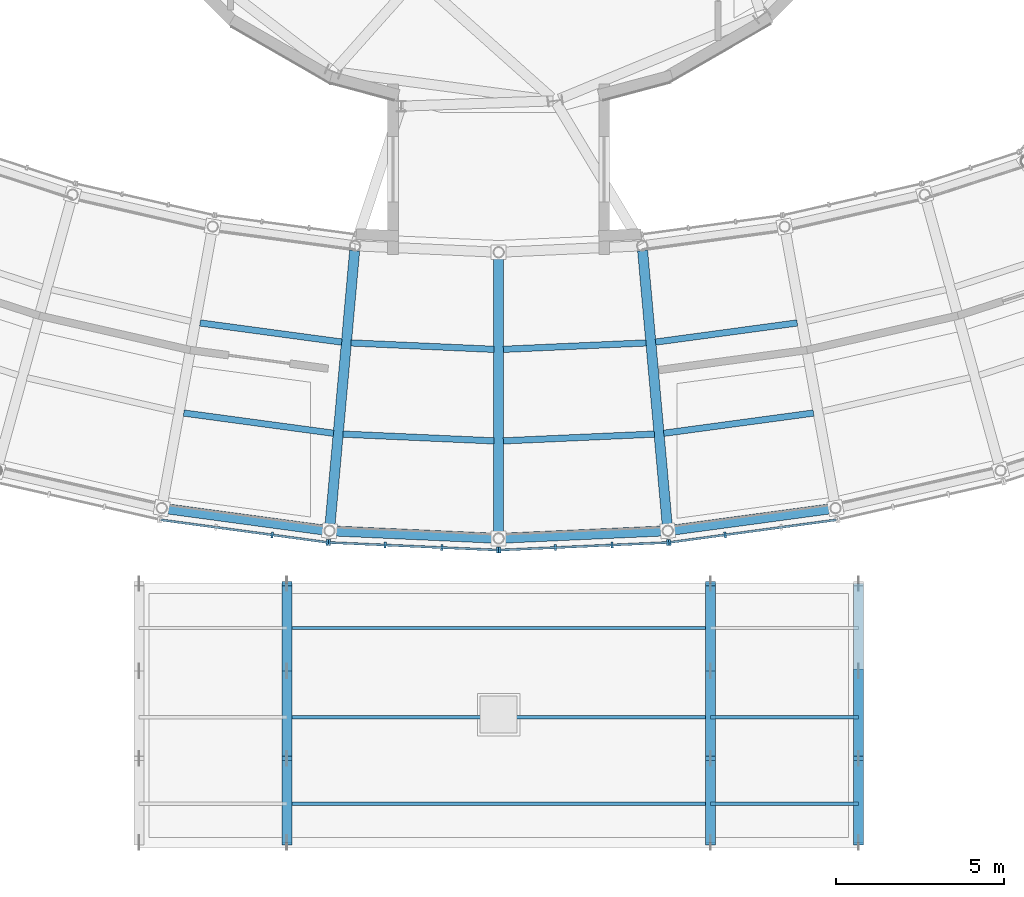
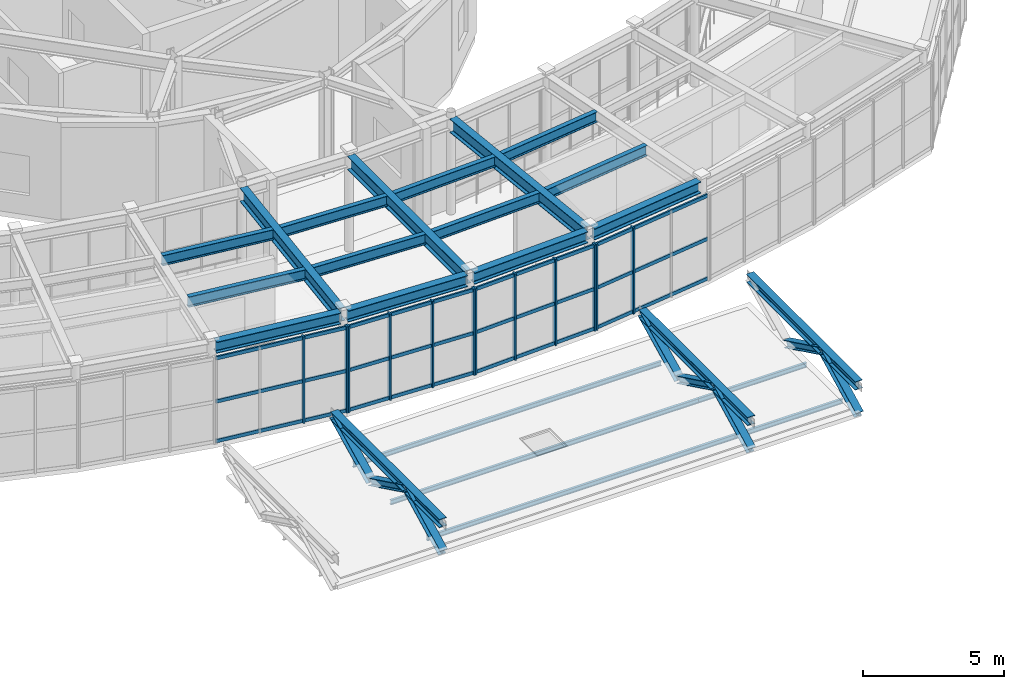
# One storey, part 26 of 103: 40 members, 15 beams, 4 elements without a shape of their own.
"""IFC4 building model written with IfcOpenShell, lengths in metres."""

from ifc_helpers import new_model, si_unit, direction, frame, origin, origin_2d, place, context, subcontext, project, spatial, rectangle, i_section, extrude, material, material_profile, profile_set, type_object, element, aggregate, save


model = new_model("IFC4")

# Units and contexts
model_context = context("Model", 3, precision=1e-05, world=origin(), true_north=direction((0.0, 1.0)))
body_context = subcontext(model_context, "Body", "Model", "MODEL_VIEW")
ifc_project = project(units=[si_unit("LENGTHUNIT", "METRE"), si_unit("AREAUNIT", "SQUARE_METRE"), si_unit("VOLUMEUNIT", "CUBIC_METRE"), si_unit("PLANEANGLEUNIT", "RADIAN"), si_unit("MASSUNIT", "GRAM", prefix="KILO")], contexts=[model_context])

# Site, building, storey
site_placement = place(None, origin())
site = spatial("IfcSite", under=ifc_project, at=site_placement, CompositionType="ELEMENT")
building_placement = place(site_placement, origin())
building = spatial("IfcBuilding", under=site, at=building_placement, Name="Varnklinge Art Gallery", CompositionType="ELEMENT")
storey_placement = place(building_placement, frame((0.0, 0.0, 5.10009765625)))
storey = spatial("IfcBuildingStorey", under=building, at=storey_placement, Name="L01", CompositionType="ELEMENT", Elevation=5.10009765625)

# Beams
ifc_material_1 = material(Name="Steel S355", Category="steel")
ifc_material_profile_1 = material_profile(ifc_material_1, i_section(OverallWidth=0.300048828125, OverallDepth=0.590087890625, WebThickness=0.012939453125, FlangeThickness=0.02490234375, FilletRadius=0.027099609375, at=origin_2d()), Name="HEA 600")
ifc_profile_set_1 = profile_set([ifc_material_profile_1], Name="Steel S355")
beam_type_1 = type_object("IfcBeamType", Name="BM-06", PredefinedType="BEAM", material=ifc_profile_set_1)
beam_1_placement = place(storey_placement, frame((70.482177734375, 13.110107421875, 3.885009765625), z_axis=(0.089446998225, 0.995991583553, 0.0), x_axis=(-0.995991583553, 0.089446998225, 0.0)))
element("IfcBeam", 1, at=beam_1_placement, inside=storey, type_object=beam_type_1, Name="L01 BM-06 BM-V2-L02-R36", PredefinedType="BEAM", context=body_context, shape_type="SweptSolid", body=[
    extrude(i_section(OverallWidth=0.300048828125, OverallDepth=0.590087890625, WebThickness=0.012939453125, FlangeThickness=0.02490234375, FilletRadius=0.027099609375, at=origin_2d()), origin(), (0.0, 0.0, 1.0), 8.229248046875),
])
beam_2_placement = place(storey_placement, frame((75.5, 12.885498046875, 3.885009765625), z_axis=(0.0, 1.0, 0.0), x_axis=(-1.0, 0.0, 0.0)))
element("IfcBeam", 2, at=beam_2_placement, inside=storey, type_object=beam_type_1, Name="L01 BM-06 BM-V2-L02-R37", PredefinedType="BEAM", context=body_context, shape_type="SweptSolid", body=[
    extrude(i_section(OverallWidth=0.300048828125, OverallDepth=0.590087890625, WebThickness=0.012939453125, FlangeThickness=0.02490234375, FilletRadius=0.027099609375, at=origin_2d()), origin(), (0.0, 0.0, 1.0), 8.22900390625),
])
beam_3_placement = place(storey_placement, frame((80.517822265625, 13.110107421875, 3.885009765625), z_axis=(-0.089446998225, 0.995991583553, 0.0), x_axis=(-0.995991583553, -0.089446998225, 0.0)))
element("IfcBeam", 3, at=beam_3_placement, inside=storey, type_object=beam_type_1, Name="L01 BM-06 BM-V2-L02-R38", PredefinedType="BEAM", context=body_context, shape_type="SweptSolid", body=[
    extrude(i_section(OverallWidth=0.300048828125, OverallDepth=0.590087890625, WebThickness=0.012939453125, FlangeThickness=0.02490234375, FilletRadius=0.027099609375, at=origin_2d()), origin(), (0.0, 0.0, 1.0), 8.229248046875),
])

# Members
ifc_material_2 = material(Name="Steel S355", Category="steel")
ifc_material_profile_2 = material_profile(ifc_material_2, i_section(OverallWidth=0.300048828125, OverallDepth=0.360107421875, WebThickness=0.012451171875, FlangeThickness=0.0224609375, FilletRadius=0.027099609375, at=origin_2d()), Name="HEB 360")
ifc_profile_set_2 = profile_set([ifc_material_profile_2], Name="Steel S355")
member_type_1 = type_object("IfcMemberType", Name="CHD-01", PredefinedType="CHORD", material=ifc_profile_set_2)
for number, where, z_axis, x_axis, name in (
    (4, (69.199951171875, 11.39990234375, 1.0498046875), (0.0, -1.0, 0.0), (1.0, 0.0, 0.0), "Entrance Canopy Truss Top Chord 2"),
    (5, (81.800048828125, 11.39990234375, 1.0498046875), (0.0, -1.0, 0.0), (1.0, 0.0, 0.0), "Entrance Canopy Truss Top Chord 3"),
    (6, (86.199951171875, 11.39990234375, 1.0498046875), (0.0, -1.0, 0.0), (1.0, 0.0, 0.0), "Entrance Canopy Truss Top Chord 4"),
):
    element("IfcMember", number, at=place(storey_placement, frame(where, z_axis=z_axis, x_axis=x_axis)), inside=storey, type_object=member_type_1, Name=name, PredefinedType="CHORD", context=body_context, shape_type="SweptSolid", body=[
        extrude(i_section(OverallWidth=0.300048828125, OverallDepth=0.360107421875, WebThickness=0.012451171875, FlangeThickness=0.0224609375, FilletRadius=0.027099609375, at=origin_2d()), origin(), (0.0, 0.0, 1.0), 7.699951171875),
    ])
ifc_material_3 = material(Name="Steel S355", Category="steel")
ifc_material_profile_3 = material_profile(ifc_material_3, i_section(OverallWidth=0.300048828125, OverallDepth=0.300048828125, WebThickness=0.010986328125, FlangeThickness=0.01904296875, FilletRadius=0.027099609375, at=origin_2d()), Name="HEB 300")
ifc_profile_set_3 = profile_set([ifc_material_profile_3], Name="Steel S355")
member_type_2 = type_object("IfcMemberType", Name="CHD-02", PredefinedType="CHORD", material=ifc_profile_set_3)
member_1_placement = place(storey_placement, frame((69.199951171875, 11.39990234375, 1.0498046875), z_axis=(0.0, -0.898523407321, -0.438925604741), x_axis=(1.0, 0.0, 0.0)))
element("IfcMember", 7, at=member_1_placement, inside=storey, type_object=member_type_2, Name="Entrance Canopy Truss Diagonal 2.1", PredefinedType="CHORD", context=body_context, shape_type="SweptSolid", body=[
    extrude(i_section(OverallWidth=0.300048828125, OverallDepth=0.300048828125, WebThickness=0.010986328125, FlangeThickness=0.01904296875, FilletRadius=0.027099609375, at=origin_2d()), origin(), (0.0, 0.0, 1.0), 2.8935546875),
])
member_2_placement = place(storey_placement, frame((69.199951171875, 8.800048828125, -0.22021484375), z_axis=(0.0, -0.89853966105, 0.438892330214), x_axis=(1.0, 0.0, 0.0)))
element("IfcMember", 8, at=member_2_placement, inside=storey, type_object=member_type_2, Name="Entrance Canopy Truss Diagonal 2.2", PredefinedType="CHORD", context=body_context, shape_type="SweptSolid", body=[
    extrude(i_section(OverallWidth=0.300048828125, OverallDepth=0.300048828125, WebThickness=0.010986328125, FlangeThickness=0.01904296875, FilletRadius=0.027099609375, at=origin_2d()), origin(), (0.0, 0.0, 1.0), 2.893798828125),
])
member_3_placement = place(storey_placement, frame((69.199951171875, 6.199951171875, 1.0498046875), z_axis=(0.0, -0.891553198571, -0.452915990133), x_axis=(1.0, 0.0, 0.0)))
element("IfcMember", 9, at=member_3_placement, inside=storey, type_object=member_type_2, Name="Entrance Canopy Truss Diagonal 2.3", PredefinedType="CHORD", context=body_context, shape_type="SweptSolid", body=[
    extrude(i_section(OverallWidth=0.300048828125, OverallDepth=0.300048828125, WebThickness=0.010986328125, FlangeThickness=0.01904296875, FilletRadius=0.027099609375, at=origin_2d()), origin(), (0.0, 0.0, 1.0), 2.80419921875),
])
member_4_placement = place(storey_placement, frame((81.800048828125, 11.39990234375, 1.0498046875), z_axis=(0.0, -0.898523407321, -0.438925604741), x_axis=(1.0, 0.0, 0.0)))
element("IfcMember", 10, at=member_4_placement, inside=storey, type_object=member_type_2, Name="Entrance Canopy Truss Diagonal 3.1", PredefinedType="CHORD", context=body_context, shape_type="SweptSolid", body=[
    extrude(i_section(OverallWidth=0.300048828125, OverallDepth=0.300048828125, WebThickness=0.010986328125, FlangeThickness=0.01904296875, FilletRadius=0.027099609375, at=origin_2d()), origin(), (0.0, 0.0, 1.0), 2.8935546875),
])
member_5_placement = place(storey_placement, frame((81.800048828125, 8.800048828125, -0.22021484375), z_axis=(0.0, -0.89853966105, 0.438892330214), x_axis=(1.0, 0.0, 0.0)))
element("IfcMember", 11, at=member_5_placement, inside=storey, type_object=member_type_2, Name="Entrance Canopy Truss Diagonal 3.2", PredefinedType="CHORD", context=body_context, shape_type="SweptSolid", body=[
    extrude(i_section(OverallWidth=0.300048828125, OverallDepth=0.300048828125, WebThickness=0.010986328125, FlangeThickness=0.01904296875, FilletRadius=0.027099609375, at=origin_2d()), origin(), (0.0, 0.0, 1.0), 2.893798828125),
])
member_6_placement = place(storey_placement, frame((81.800048828125, 6.199951171875, 1.0498046875), z_axis=(0.0, -0.891553198571, -0.452915990133), x_axis=(1.0, 0.0, 0.0)))
element("IfcMember", 12, at=member_6_placement, inside=storey, type_object=member_type_2, Name="Entrance Canopy Truss Diagonal 3.3", PredefinedType="CHORD", context=body_context, shape_type="SweptSolid", body=[
    extrude(i_section(OverallWidth=0.300048828125, OverallDepth=0.300048828125, WebThickness=0.010986328125, FlangeThickness=0.01904296875, FilletRadius=0.027099609375, at=origin_2d()), origin(), (0.0, 0.0, 1.0), 2.80419921875),
])
member_7_placement = place(storey_placement, frame((86.199951171875, 8.800048828125, -0.22021484375), z_axis=(0.0, -0.89853966105, 0.438892330214), x_axis=(1.0, 0.0, 0.0)))
element("IfcMember", 13, at=member_7_placement, inside=storey, type_object=member_type_2, Name="Entrance Canopy Truss Diagonal 4.2", PredefinedType="CHORD", context=body_context, shape_type="SweptSolid", body=[
    extrude(i_section(OverallWidth=0.300048828125, OverallDepth=0.300048828125, WebThickness=0.010986328125, FlangeThickness=0.01904296875, FilletRadius=0.027099609375, at=origin_2d()), origin(), (0.0, 0.0, 1.0), 2.893798828125),
])
member_8_placement = place(storey_placement, frame((86.199951171875, 6.199951171875, 1.0498046875), z_axis=(0.0, -0.891553198571, -0.452915990133), x_axis=(1.0, 0.0, 0.0)))
element("IfcMember", 14, at=member_8_placement, inside=storey, type_object=member_type_2, Name="Entrance Canopy Truss Diagonal 4.3", PredefinedType="CHORD", context=body_context, shape_type="SweptSolid", body=[
    extrude(i_section(OverallWidth=0.300048828125, OverallDepth=0.300048828125, WebThickness=0.010986328125, FlangeThickness=0.01904296875, FilletRadius=0.027099609375, at=origin_2d()), origin(), (0.0, 0.0, 1.0), 2.80419921875),
])

# Beams
ifc_material_4 = material(Name="Steel S355", Category="steel")
ifc_material_profile_4 = material_profile(ifc_material_4, i_section(OverallWidth=0.18994140625, OverallDepth=0.449951171875, WebThickness=0.009521484375, FlangeThickness=0.0146484375, FilletRadius=0.02099609375, at=origin_2d()), Name="IPE 450")
ifc_profile_set_4 = profile_set([ifc_material_profile_4], Name="Steel S355")
beam_type_2 = type_object("IfcBeamType", Name="JST-04", PredefinedType="JOIST", material=ifc_profile_set_4)
beam_4_placement = place(storey_placement, frame((66.1337890625, 16.47314453125, 3.954833984375), z_axis=(0.990994962068, -0.1338991604, 0.0), x_axis=(0.1338991604, 0.990994962068, 0.0)))
element("IfcBeam", 15, at=beam_4_placement, inside=storey, type_object=beam_type_2, Name="L01 JST-04 JST-V2-L02-35-1", PredefinedType="JOIST", context=body_context, shape_type="SweptSolid", body=[
    extrude(i_section(OverallWidth=0.18994140625, OverallDepth=0.449951171875, WebThickness=0.009521484375, FlangeThickness=0.0146484375, FilletRadius=0.02099609375, at=origin_2d()), origin(), (0.0, 0.0, 1.0), 4.496337890625),
])
beam_5_placement = place(storey_placement, frame((66.618896484375, 19.152587890625, 3.954833984375), z_axis=(0.990990165217, -0.133934657366, 0.0), x_axis=(0.133934657366, 0.990990165217, 0.0)))
element("IfcBeam", 16, at=beam_5_placement, inside=storey, type_object=beam_type_2, Name="L01 JST-04 JST-V2-L02-35-2", PredefinedType="JOIST", context=body_context, shape_type="SweptSolid", body=[
    extrude(i_section(OverallWidth=0.18994140625, OverallDepth=0.449951171875, WebThickness=0.009521484375, FlangeThickness=0.0146484375, FilletRadius=0.02099609375, at=origin_2d()), origin(), (0.0, 0.0, 1.0), 4.252685546875),
])
beam_6_placement = place(storey_placement, frame((70.868408203125, 15.845947265625, 3.954833984375), z_axis=(0.998998547329, -0.044742624361, 0.0), x_axis=(0.044742624361, 0.998998547329, 0.0)))
element("IfcBeam", 17, at=beam_6_placement, inside=storey, type_object=beam_type_2, Name="L01 JST-04 JST-V2-L02-36-1", PredefinedType="JOIST", context=body_context, shape_type="SweptSolid", body=[
    extrude(i_section(OverallWidth=0.18994140625, OverallDepth=0.449951171875, WebThickness=0.009521484375, FlangeThickness=0.0146484375, FilletRadius=0.02099609375, at=origin_2d()), origin(), (0.0, 0.0, 1.0), 4.49609375),
])
beam_7_placement = place(storey_placement, frame((71.11181640625, 18.55810546875, 3.954833984375), z_axis=(0.998996870661, -0.044780044774, 0.0), x_axis=(0.044780044774, 0.998996870661, 0.0)))
element("IfcBeam", 18, at=beam_7_placement, inside=storey, type_object=beam_type_2, Name="L01 JST-04 JST-V2-L02-36-2", PredefinedType="JOIST", context=body_context, shape_type="SweptSolid", body=[
    extrude(i_section(OverallWidth=0.18994140625, OverallDepth=0.449951171875, WebThickness=0.009521484375, FlangeThickness=0.0146484375, FilletRadius=0.02099609375, at=origin_2d()), origin(), (0.0, 0.0, 1.0), 4.25244140625),
])
beam_8_placement = place(storey_placement, frame((75.639892578125, 15.644775390625, 3.954833984375), z_axis=(0.998998547329, 0.044742624361, 0.0), x_axis=(-0.044742624361, 0.998998547329, 0.0)))
element("IfcBeam", 19, at=beam_8_placement, inside=storey, type_object=beam_type_2, Name="L01 JST-04 JST-V2-L02-37-1", PredefinedType="JOIST", context=body_context, shape_type="SweptSolid", body=[
    extrude(i_section(OverallWidth=0.18994140625, OverallDepth=0.449951171875, WebThickness=0.009521484375, FlangeThickness=0.0146484375, FilletRadius=0.02099609375, at=origin_2d()), origin(), (0.0, 0.0, 1.0), 4.49609375),
])
beam_9_placement = place(storey_placement, frame((75.639892578125, 18.36767578125, 3.954833984375), z_axis=(0.998996870661, 0.044780044774, 0.0), x_axis=(-0.044780044774, 0.998996870661, 0.0)))
element("IfcBeam", 20, at=beam_9_placement, inside=storey, type_object=beam_type_2, Name="L01 JST-04 JST-V2-L02-37-2", PredefinedType="JOIST", context=body_context, shape_type="SweptSolid", body=[
    extrude(i_section(OverallWidth=0.18994140625, OverallDepth=0.449951171875, WebThickness=0.009521484375, FlangeThickness=0.0146484375, FilletRadius=0.02099609375, at=origin_2d()), origin(), (0.0, 0.0, 1.0), 4.25244140625),
])
beam_10_placement = place(storey_placement, frame((80.410400390625, 15.87109375, 3.954833984375), z_axis=(0.990994962068, 0.1338991604, 0.0), x_axis=(-0.1338991604, 0.990994962068, 0.0)))
element("IfcBeam", 21, at=beam_10_placement, inside=storey, type_object=beam_type_2, Name="L01 JST-04 JST-V2-L02-38-1", PredefinedType="JOIST", context=body_context, shape_type="SweptSolid", body=[
    extrude(i_section(OverallWidth=0.18994140625, OverallDepth=0.449951171875, WebThickness=0.009521484375, FlangeThickness=0.0146484375, FilletRadius=0.02099609375, at=origin_2d()), origin(), (0.0, 0.0, 1.0), 4.496337890625),
])
beam_11_placement = place(storey_placement, frame((80.166748046875, 18.5830078125, 3.954833984375), z_axis=(0.990990165217, 0.133934657366, 0.0), x_axis=(-0.133934657366, 0.990990165217, 0.0)))
element("IfcBeam", 22, at=beam_11_placement, inside=storey, type_object=beam_type_2, Name="L01 JST-04 JST-V2-L02-38-2", PredefinedType="JOIST", context=body_context, shape_type="SweptSolid", body=[
    extrude(i_section(OverallWidth=0.18994140625, OverallDepth=0.449951171875, WebThickness=0.009521484375, FlangeThickness=0.0146484375, FilletRadius=0.02099609375, at=origin_2d()), origin(), (0.0, 0.0, 1.0), 4.252685546875),
])

# Curtain wall, members
ifc_material_5 = material(Name="Anodised Aluminium", Category="aluminium")
curtain_wall_type = type_object("IfcCurtainWallType", Name="CW-R04", PredefinedType="USERDEFINED", material=ifc_material_5)
curtain_wall_1_placement = place(storey_placement, origin())
curtain_wall_1 = element("IfcCurtainWall", 23, at=curtain_wall_1_placement, inside=storey, type_object=curtain_wall_type, Name="L01 Curtain Wall CW-V2O-L01-35", ObjectType="UNITISED CURTAIN WALL", PredefinedType="USERDEFINED")
ifc_material_6 = material(Name="Anodised Aluminium", Category="aluminium")
ifc_material_profile_5 = material_profile(ifc_material_6, rectangle(XDim=0.06494140625, YDim=0.179931640625, at=origin_2d()), Name="ALU 65x180")
ifc_profile_set_5 = profile_set([ifc_material_profile_5], Name="Anodised Aluminium")
member_type_3 = type_object("IfcMemberType", Name="MUL-01", PredefinedType="MULLION", material=ifc_profile_set_5)
member_9_placement = place(storey_placement, frame((68.764892578125, 12.848388671875, 0.0), z_axis=(0.0, 0.0, 1.0), x_axis=(0.990983199715, -0.133986185418, 0.0)))
member_9 = element("IfcMember", 24, at=member_9_placement, type_object=member_type_3, Name="CW-V2O-L01-35 Mullion 3", PredefinedType="MULLION", context=body_context, shape_type="SweptSolid", body=[
    extrude(rectangle(XDim=0.06494140625, YDim=0.179931640625, at=origin_2d()), origin(), (0.0, 0.0, 1.0), 3.72998046875),
])
member_10_placement = place(storey_placement, frame((70.40625, 12.62646484375, 0.0), z_axis=(0.0, 0.0, 1.0), x_axis=(0.990983199715, -0.133986185418, 0.0)))
member_10 = element("IfcMember", 25, at=member_10_placement, type_object=member_type_3, Name="CW-V2O-L01-35 Mullion 4", PredefinedType="MULLION", context=body_context, shape_type="SweptSolid", body=[
    extrude(rectangle(XDim=0.06494140625, YDim=0.179931640625, at=origin_2d()), origin(), (0.0, 0.0, 1.0), 3.72998046875),
])

curtain_wall_2_placement = place(storey_placement, origin())
curtain_wall_2 = element("IfcCurtainWall", 26, at=curtain_wall_2_placement, inside=storey, type_object=curtain_wall_type, Name="L01 Curtain Wall CW-V2O-L01-36", ObjectType="UNITISED CURTAIN WALL", PredefinedType="USERDEFINED")
member_11_placement = place(storey_placement, frame((70.470947265625, 12.62060546875, 0.0), z_axis=(0.0, 0.0, 1.0), x_axis=(0.999001995685, -0.044665564108, 0.0)))
member_11 = element("IfcMember", 27, at=member_11_placement, type_object=member_type_3, Name="CW-V2O-L01-36 Mullion 1", PredefinedType="MULLION", context=body_context, shape_type="SweptSolid", body=[
    extrude(rectangle(XDim=0.06494140625, YDim=0.179931640625, at=origin_2d()), origin(), (0.0, 0.0, 1.0), 3.72998046875),
])
member_12_placement = place(storey_placement, frame((72.12548828125, 12.54638671875, 0.0), z_axis=(0.0, 0.0, 1.0), x_axis=(0.999001995685, -0.044665564108, 0.0)))
member_12 = element("IfcMember", 28, at=member_12_placement, type_object=member_type_3, Name="CW-V2O-L01-36 Mullion 2", PredefinedType="MULLION", context=body_context, shape_type="SweptSolid", body=[
    extrude(rectangle(XDim=0.06494140625, YDim=0.179931640625, at=origin_2d()), origin(), (0.0, 0.0, 1.0), 3.72998046875),
])
member_13_placement = place(storey_placement, frame((73.812744140625, 12.470947265625, 0.0), z_axis=(0.0, 0.0, 1.0), x_axis=(0.999001995685, -0.044665564108, 0.0)))
member_13 = element("IfcMember", 29, at=member_13_placement, type_object=member_type_3, Name="CW-V2O-L01-36 Mullion 3", PredefinedType="MULLION", context=body_context, shape_type="SweptSolid", body=[
    extrude(rectangle(XDim=0.06494140625, YDim=0.179931640625, at=origin_2d()), origin(), (0.0, 0.0, 1.0), 3.72998046875),
])
member_14_placement = place(storey_placement, frame((75.467529296875, 12.39697265625, 0.0), z_axis=(0.0, 0.0, 1.0), x_axis=(0.999001995685, -0.044665564108, 0.0)))
member_14 = element("IfcMember", 30, at=member_14_placement, type_object=member_type_3, Name="CW-V2O-L01-36 Mullion 4", PredefinedType="MULLION", context=body_context, shape_type="SweptSolid", body=[
    extrude(rectangle(XDim=0.06494140625, YDim=0.179931640625, at=origin_2d()), origin(), (0.0, 0.0, 1.0), 3.72998046875),
])

curtain_wall_3_placement = place(storey_placement, origin())
curtain_wall_3 = element("IfcCurtainWall", 31, at=curtain_wall_3_placement, inside=storey, type_object=curtain_wall_type, Name="L01 Curtain Wall CW-V2O-L01-37", ObjectType="UNITISED CURTAIN WALL", PredefinedType="USERDEFINED")
member_15_placement = place(storey_placement, frame((75.532470703125, 12.39697265625, 0.0), z_axis=(0.0, 0.0, 1.0), x_axis=(0.999001995685, 0.044665564108, 0.0)))
member_15 = element("IfcMember", 32, at=member_15_placement, type_object=member_type_3, Name="CW-V2O-L01-37 Mullion 1", PredefinedType="MULLION", context=body_context, shape_type="SweptSolid", body=[
    extrude(rectangle(XDim=0.06494140625, YDim=0.179931640625, at=origin_2d()), origin(), (0.0, 0.0, 1.0), 3.72998046875),
])
member_16_placement = place(storey_placement, frame((77.187255859375, 12.470947265625, 0.0), z_axis=(0.0, 0.0, 1.0), x_axis=(0.999001995685, 0.044665564108, 0.0)))
member_16 = element("IfcMember", 33, at=member_16_placement, type_object=member_type_3, Name="CW-V2O-L01-37 Mullion 2", PredefinedType="MULLION", context=body_context, shape_type="SweptSolid", body=[
    extrude(rectangle(XDim=0.06494140625, YDim=0.179931640625, at=origin_2d()), origin(), (0.0, 0.0, 1.0), 3.72998046875),
])
member_17_placement = place(storey_placement, frame((78.87451171875, 12.54638671875, 0.0), z_axis=(0.0, 0.0, 1.0), x_axis=(0.999001995685, 0.044665564108, 0.0)))
member_17 = element("IfcMember", 34, at=member_17_placement, type_object=member_type_3, Name="CW-V2O-L01-37 Mullion 3", PredefinedType="MULLION", context=body_context, shape_type="SweptSolid", body=[
    extrude(rectangle(XDim=0.06494140625, YDim=0.179931640625, at=origin_2d()), origin(), (0.0, 0.0, 1.0), 3.72998046875),
])
member_18_placement = place(storey_placement, frame((80.529052734375, 12.62060546875, 0.0), z_axis=(0.0, 0.0, 1.0), x_axis=(0.999001995685, 0.044665564108, 0.0)))
member_18 = element("IfcMember", 35, at=member_18_placement, type_object=member_type_3, Name="CW-V2O-L01-37 Mullion 4", PredefinedType="MULLION", context=body_context, shape_type="SweptSolid", body=[
    extrude(rectangle(XDim=0.06494140625, YDim=0.179931640625, at=origin_2d()), origin(), (0.0, 0.0, 1.0), 3.72998046875),
])

curtain_wall_4_placement = place(storey_placement, origin())
curtain_wall_4 = element("IfcCurtainWall", 36, at=curtain_wall_4_placement, inside=storey, type_object=curtain_wall_type, Name="L01 Curtain Wall CW-V2O-L01-38", ObjectType="UNITISED CURTAIN WALL", PredefinedType="USERDEFINED")
member_19_placement = place(storey_placement, frame((80.59375, 12.62646484375, 0.0), z_axis=(0.0, 0.0, 1.0), x_axis=(0.990983199715, 0.133986185418, 0.0)))
member_19 = element("IfcMember", 37, at=member_19_placement, type_object=member_type_3, Name="CW-V2O-L01-38 Mullion 1", PredefinedType="MULLION", context=body_context, shape_type="SweptSolid", body=[
    extrude(rectangle(XDim=0.06494140625, YDim=0.179931640625, at=origin_2d()), origin(), (0.0, 0.0, 1.0), 3.72998046875),
])
member_20_placement = place(storey_placement, frame((82.235107421875, 12.848388671875, 0.0), z_axis=(0.0, 0.0, 1.0), x_axis=(0.990983199715, 0.133986185418, 0.0)))
member_20 = element("IfcMember", 38, at=member_20_placement, type_object=member_type_3, Name="CW-V2O-L01-38 Mullion 2", PredefinedType="MULLION", context=body_context, shape_type="SweptSolid", body=[
    extrude(rectangle(XDim=0.06494140625, YDim=0.179931640625, at=origin_2d()), origin(), (0.0, 0.0, 1.0), 3.72998046875),
])

# Members
ifc_material_7 = material(Name="Steel S355", Category="steel")
ifc_material_profile_6 = material_profile(ifc_material_7, i_section(OverallWidth=0.10009765625, OverallDepth=0.199951171875, WebThickness=0.005615234375, FlangeThickness=0.008544921875, FilletRadius=0.011962890625, at=origin_2d()), Name="IPE 200")
ifc_profile_set_6 = profile_set([ifc_material_profile_6], Name="Steel S355")
member_type_4 = type_object("IfcMemberType", Name="PRL-01", PredefinedType="PURLIN", material=ifc_profile_set_6)
member_21_placement = place(storey_placement, frame((69.199951171875, 4.85009765625, -0.320068359375), z_axis=(1.0, 0.0, 0.0), x_axis=(0.0, 1.0, 0.0)))
element("IfcMember", 39, at=member_21_placement, inside=storey, type_object=member_type_4, Name="Canopy Purlin 1.2", PredefinedType="PURLIN", context=body_context, shape_type="SweptSolid", body=[
    extrude(i_section(OverallWidth=0.10009765625, OverallDepth=0.199951171875, WebThickness=0.005615234375, FlangeThickness=0.008544921875, FilletRadius=0.011962890625, at=origin_2d()), origin(), (0.0, 0.0, 1.0), 12.60009765625),
])
member_22_placement = place(storey_placement, frame((81.800048828125, 4.85009765625, -0.320068359375), z_axis=(1.0, 0.0, 0.0), x_axis=(0.0, 1.0, 0.0)))
element("IfcMember", 40, at=member_22_placement, inside=storey, type_object=member_type_4, Name="Canopy Purlin 1.3", PredefinedType="PURLIN", context=body_context, shape_type="SweptSolid", body=[
    extrude(i_section(OverallWidth=0.10009765625, OverallDepth=0.199951171875, WebThickness=0.005615234375, FlangeThickness=0.008544921875, FilletRadius=0.011962890625, at=origin_2d()), origin(), (0.0, 0.0, 1.0), 4.39990234375),
])
member_23_placement = place(storey_placement, frame((69.199951171875, 7.419921875, -0.320068359375), z_axis=(1.0, 0.0, 0.0), x_axis=(0.0, 1.0, 0.0)))
element("IfcMember", 41, at=member_23_placement, inside=storey, type_object=member_type_4, Name="Canopy Purlin 2.2", PredefinedType="PURLIN", context=body_context, shape_type="SweptSolid", body=[
    extrude(i_section(OverallWidth=0.10009765625, OverallDepth=0.199951171875, WebThickness=0.005615234375, FlangeThickness=0.008544921875, FilletRadius=0.011962890625, at=origin_2d()), origin(), (0.0, 0.0, 1.0), 12.60009765625),
])
member_24_placement = place(storey_placement, frame((81.800048828125, 7.419921875, -0.320068359375), z_axis=(1.0, 0.0, 0.0), x_axis=(0.0, 1.0, 0.0)))
element("IfcMember", 42, at=member_24_placement, inside=storey, type_object=member_type_4, Name="Canopy Purlin 2.3", PredefinedType="PURLIN", context=body_context, shape_type="SweptSolid", body=[
    extrude(i_section(OverallWidth=0.10009765625, OverallDepth=0.199951171875, WebThickness=0.005615234375, FlangeThickness=0.008544921875, FilletRadius=0.011962890625, at=origin_2d()), origin(), (0.0, 0.0, 1.0), 4.39990234375),
])
member_25_placement = place(storey_placement, frame((69.199951171875, 10.080078125, -0.320068359375), z_axis=(1.0, 0.0, 0.0), x_axis=(0.0, 1.0, 0.0)))
element("IfcMember", 43, at=member_25_placement, inside=storey, type_object=member_type_4, Name="Canopy Purlin 3.2", PredefinedType="PURLIN", context=body_context, shape_type="SweptSolid", body=[
    extrude(i_section(OverallWidth=0.10009765625, OverallDepth=0.199951171875, WebThickness=0.005615234375, FlangeThickness=0.008544921875, FilletRadius=0.011962890625, at=origin_2d()), origin(), (0.0, 0.0, 1.0), 12.60009765625),
])

# Beams
ifc_material_8 = material(Name="Steel S355", Category="steel")
ifc_material_profile_7 = material_profile(ifc_material_8, i_section(OverallWidth=0.300048828125, OverallDepth=0.489990234375, WebThickness=0.011962890625, FlangeThickness=0.02294921875, FilletRadius=0.027099609375, at=origin_2d()), Name="HEA 500")
ifc_profile_set_7 = profile_set([ifc_material_profile_7], Name="Steel S355")
beam_type_3 = type_object("IfcBeamType", Name="SPB-01", PredefinedType="SPANDREL", material=ifc_profile_set_7)
beam_12_placement = place(storey_placement, frame((65.618408203125, 13.626220703125, 3.934814453125), z_axis=(0.990995928782, -0.133892005505, 0.0), x_axis=(0.133892005505, 0.990995928782, 0.0)))
element("IfcBeam", 44, at=beam_12_placement, inside=storey, type_object=beam_type_3, Name="L01 SPB-01 BM-V2-L02-O35", PredefinedType="SPANDREL", context=body_context, shape_type="SweptSolid", body=[
    extrude(i_section(OverallWidth=0.300048828125, OverallDepth=0.489990234375, WebThickness=0.011962890625, FlangeThickness=0.02294921875, FilletRadius=0.027099609375, at=origin_2d()), origin(), (0.0, 0.0, 1.0), 4.75537109375),
])
for number, where, z_axis, x_axis, name in (
    (45, (70.609619140625, 12.96435546875, 3.934814453125), (0.998999636454, -0.0447183001, 0.0), (0.0447183001, 0.998999636454, 0.0), "L01 SPB-01 BM-V2-L02-O36"),
    (46, (75.639892578125, 12.751708984375, 3.934814453125), (0.998999636454, 0.0447183001, 0.0), (-0.0447183001, 0.998999636454, 0.0), "L01 SPB-01 BM-V2-L02-O37"),
):
    element("IfcBeam", number, at=place(storey_placement, frame(where, z_axis=z_axis, x_axis=x_axis)), inside=storey, type_object=beam_type_3, Name=name, PredefinedType="SPANDREL", context=body_context, shape_type="SweptSolid", body=[
        extrude(i_section(OverallWidth=0.300048828125, OverallDepth=0.489990234375, WebThickness=0.011962890625, FlangeThickness=0.02294921875, FilletRadius=0.027099609375, at=origin_2d()), origin(), (0.0, 0.0, 1.0), 4.755126953125),
    ])
beam_13_placement = place(storey_placement, frame((80.6689453125, 12.989501953125, 3.934814453125), z_axis=(0.990995928782, 0.133892005505, 0.0), x_axis=(-0.133892005505, 0.990995928782, 0.0)))
element("IfcBeam", 47, at=beam_13_placement, inside=storey, type_object=beam_type_3, Name="L01 SPB-01 BM-V2-L02-O38", PredefinedType="SPANDREL", context=body_context, shape_type="SweptSolid", body=[
    extrude(i_section(OverallWidth=0.300048828125, OverallDepth=0.489990234375, WebThickness=0.011962890625, FlangeThickness=0.02294921875, FilletRadius=0.027099609375, at=origin_2d()), origin(), (0.0, 0.0, 1.0), 4.75537109375),
])

# Member
ifc_material_9 = material(Name="Anodised Aluminium", Category="aluminium")
ifc_material_profile_8 = material_profile(ifc_material_9, rectangle(XDim=0.06494140625, YDim=0.14990234375, at=origin_2d()), Name="ALU 65x150")
ifc_profile_set_8 = profile_set([ifc_material_profile_8], Name="Anodised Aluminium")
member_type_5 = type_object("IfcMemberType", Name="TRN-01", PredefinedType="USERDEFINED", material=ifc_profile_set_8)
member_26_placement = place(storey_placement, frame((65.44970703125, 13.296142578125, 0.074951171875), z_axis=(0.990995756653, -0.133893279504, 0.0), x_axis=(0.133893279504, 0.990995756653, 0.0)))
member_26 = element("IfcMember", 48, at=member_26_placement, type_object=member_type_5, Name="CW-V2O-L01-35 Transom 1", ObjectType="TRANSOM", PredefinedType="USERDEFINED", context=body_context, shape_type="SweptSolid", body=[
    extrude(rectangle(XDim=0.06494140625, YDim=0.14990234375, at=origin_2d()), origin(), (0.0, 0.0, 1.0), 5.00146484375),
])

member_27_placement = place(storey_placement, frame((65.44970703125, 13.296142578125, 1.790283203125), z_axis=(0.990995756653, -0.133893279504, 0.0), x_axis=(0.133893279504, 0.990995756653, 0.0)))
member_27 = element("IfcMember", 49, at=member_27_placement, type_object=member_type_5, Name="CW-V2O-L01-35 Transom 2", ObjectType="TRANSOM", PredefinedType="USERDEFINED", context=body_context, shape_type="SweptSolid", body=[
    extrude(rectangle(XDim=0.06494140625, YDim=0.14990234375, at=origin_2d()), origin(), (0.0, 0.0, 1.0), 5.00146484375),
])

member_28_placement = place(storey_placement, frame((65.44970703125, 13.296142578125, 3.65478515625), z_axis=(0.990995756653, -0.133893279504, 0.0), x_axis=(0.133893279504, 0.990995756653, 0.0)))
member_28 = element("IfcMember", 50, at=member_28_placement, type_object=member_type_5, Name="CW-V2O-L01-35 Transom 3", ObjectType="TRANSOM", PredefinedType="USERDEFINED", context=body_context, shape_type="SweptSolid", body=[
    extrude(rectangle(XDim=0.06494140625, YDim=0.14990234375, at=origin_2d()), origin(), (0.0, 0.0, 1.0), 5.00146484375),
])

aggregate(curtain_wall_1, [member_9, member_10, member_26, member_27, member_28])

member_29_placement = place(storey_placement, frame((70.470947265625, 12.62060546875, 0.074951171875), z_axis=(0.998999900695, -0.044712396611, 0.0), x_axis=(0.044712396611, 0.998999900695, 0.0)))
member_29 = element("IfcMember", 51, at=member_29_placement, type_object=member_type_5, Name="CW-V2O-L01-36 Transom 1", ObjectType="TRANSOM", PredefinedType="USERDEFINED", context=body_context, shape_type="SweptSolid", body=[
    extrude(rectangle(XDim=0.06494140625, YDim=0.14990234375, at=origin_2d()), origin(), (0.0, 0.0, 1.0), 5.00146484375),
])

member_30_placement = place(storey_placement, frame((70.470947265625, 12.62060546875, 1.790283203125), z_axis=(0.998999900695, -0.044712396611, 0.0), x_axis=(0.044712396611, 0.998999900695, 0.0)))
member_30 = element("IfcMember", 52, at=member_30_placement, type_object=member_type_5, Name="CW-V2O-L01-36 Transom 2", ObjectType="TRANSOM", PredefinedType="USERDEFINED", context=body_context, shape_type="SweptSolid", body=[
    extrude(rectangle(XDim=0.06494140625, YDim=0.14990234375, at=origin_2d()), origin(), (0.0, 0.0, 1.0), 5.00146484375),
])

member_31_placement = place(storey_placement, frame((70.470947265625, 12.62060546875, 3.65478515625), z_axis=(0.998999900695, -0.044712396611, 0.0), x_axis=(0.044712396611, 0.998999900695, 0.0)))
member_31 = element("IfcMember", 53, at=member_31_placement, type_object=member_type_5, Name="CW-V2O-L01-36 Transom 3", ObjectType="TRANSOM", PredefinedType="USERDEFINED", context=body_context, shape_type="SweptSolid", body=[
    extrude(rectangle(XDim=0.06494140625, YDim=0.14990234375, at=origin_2d()), origin(), (0.0, 0.0, 1.0), 5.00146484375),
])

aggregate(curtain_wall_2, [member_11, member_12, member_13, member_14, member_29, member_30, member_31])

member_32_placement = place(storey_placement, frame((75.532470703125, 12.39697265625, 0.074951171875), z_axis=(0.998999900695, 0.044712396611, 0.0), x_axis=(-0.044712396611, 0.998999900695, 0.0)))
member_32 = element("IfcMember", 54, at=member_32_placement, type_object=member_type_5, Name="CW-V2O-L01-37 Transom 1", ObjectType="TRANSOM", PredefinedType="USERDEFINED", context=body_context, shape_type="SweptSolid", body=[
    extrude(rectangle(XDim=0.06494140625, YDim=0.14990234375, at=origin_2d()), origin(), (0.0, 0.0, 1.0), 5.00146484375),
])

member_33_placement = place(storey_placement, frame((75.532470703125, 12.39697265625, 1.790283203125), z_axis=(0.998999900695, 0.044712396611, 0.0), x_axis=(-0.044712396611, 0.998999900695, 0.0)))
member_33 = element("IfcMember", 55, at=member_33_placement, type_object=member_type_5, Name="CW-V2O-L01-37 Transom 2", ObjectType="TRANSOM", PredefinedType="USERDEFINED", context=body_context, shape_type="SweptSolid", body=[
    extrude(rectangle(XDim=0.06494140625, YDim=0.14990234375, at=origin_2d()), origin(), (0.0, 0.0, 1.0), 5.00146484375),
])

member_34_placement = place(storey_placement, frame((75.532470703125, 12.39697265625, 3.65478515625), z_axis=(0.998999900695, 0.044712396611, 0.0), x_axis=(-0.044712396611, 0.998999900695, 0.0)))
member_34 = element("IfcMember", 56, at=member_34_placement, type_object=member_type_5, Name="CW-V2O-L01-37 Transom 3", ObjectType="TRANSOM", PredefinedType="USERDEFINED", context=body_context, shape_type="SweptSolid", body=[
    extrude(rectangle(XDim=0.06494140625, YDim=0.14990234375, at=origin_2d()), origin(), (0.0, 0.0, 1.0), 5.00146484375),
])

aggregate(curtain_wall_3, [member_15, member_16, member_17, member_18, member_32, member_33, member_34])

member_35_placement = place(storey_placement, frame((80.59375, 12.62646484375, 0.074951171875), z_axis=(0.990995756653, 0.133893279504, 0.0), x_axis=(-0.133893279504, 0.990995756653, 0.0)))
member_35 = element("IfcMember", 57, at=member_35_placement, type_object=member_type_5, Name="CW-V2O-L01-38 Transom 1", ObjectType="TRANSOM", PredefinedType="USERDEFINED", context=body_context, shape_type="SweptSolid", body=[
    extrude(rectangle(XDim=0.06494140625, YDim=0.14990234375, at=origin_2d()), origin(), (0.0, 0.0, 1.0), 5.00146484375),
])

member_36_placement = place(storey_placement, frame((80.59375, 12.62646484375, 1.790283203125), z_axis=(0.990995756653, 0.133893279504, 0.0), x_axis=(-0.133893279504, 0.990995756653, 0.0)))
member_36 = element("IfcMember", 58, at=member_36_placement, type_object=member_type_5, Name="CW-V2O-L01-38 Transom 2", ObjectType="TRANSOM", PredefinedType="USERDEFINED", context=body_context, shape_type="SweptSolid", body=[
    extrude(rectangle(XDim=0.06494140625, YDim=0.14990234375, at=origin_2d()), origin(), (0.0, 0.0, 1.0), 5.00146484375),
])

member_37_placement = place(storey_placement, frame((80.59375, 12.62646484375, 3.65478515625), z_axis=(0.990995756653, 0.133893279504, 0.0), x_axis=(-0.133893279504, 0.990995756653, 0.0)))
member_37 = element("IfcMember", 59, at=member_37_placement, type_object=member_type_5, Name="CW-V2O-L01-38 Transom 3", ObjectType="TRANSOM", PredefinedType="USERDEFINED", context=body_context, shape_type="SweptSolid", body=[
    extrude(rectangle(XDim=0.06494140625, YDim=0.14990234375, at=origin_2d()), origin(), (0.0, 0.0, 1.0), 5.00146484375),
])

aggregate(curtain_wall_4, [member_19, member_20, member_35, member_36, member_37])

save(model, "model.ifc")
